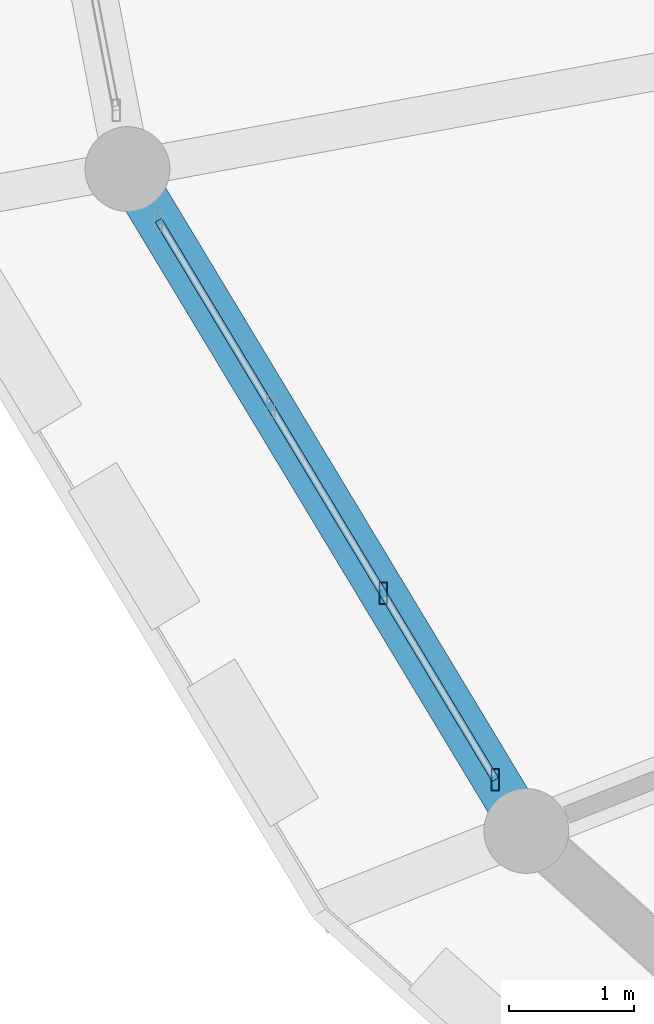
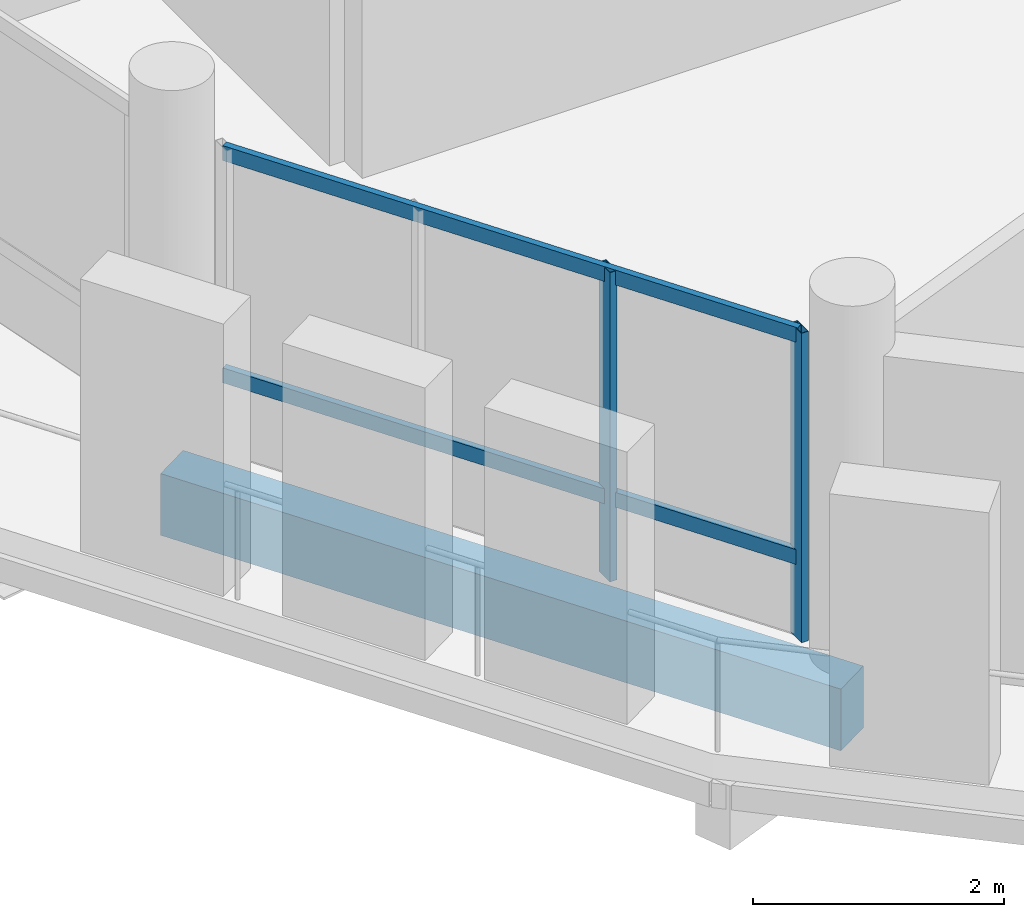
# One storey, part 45 of 128: 4 members, 1 beam, 1 element without a shape of its own.
"""IFC4 building model written with IfcOpenShell, lengths in metres."""

from ifc_helpers import new_model, si_unit, direction, frame, origin, origin_2d, place, context, subcontext, project, spatial, rectangle, hollow_rectangle, extrude, material, material_profile, profile_set, type_object, element, aggregate, save


model = new_model("IFC4")

# Units and contexts
model_context = context("Model", 3, precision=1e-05, world=origin(), true_north=direction((0.0, 1.0)))
body_context = subcontext(model_context, "Body", "Model", "MODEL_VIEW")
ifc_project = project(units=[si_unit("LENGTHUNIT", "METRE"), si_unit("AREAUNIT", "SQUARE_METRE"), si_unit("VOLUMEUNIT", "CUBIC_METRE"), si_unit("PLANEANGLEUNIT", "RADIAN"), si_unit("MASSUNIT", "GRAM", prefix="KILO")], contexts=[model_context])

# Site, building, storey
site_placement = place(None, origin())
site = spatial("IfcSite", under=ifc_project, at=site_placement, CompositionType="ELEMENT")
building_placement = place(site_placement, origin())
building = spatial("IfcBuilding", under=site, at=building_placement, Name="Zornivar Specialist Clinic", CompositionType="ELEMENT")
storey_placement = place(building_placement, frame((0.0, 0.0, 4.5)))
storey = spatial("IfcBuildingStorey", under=building, at=storey_placement, Name="L01", CompositionType="ELEMENT", Elevation=4.5)

# Beam
ifc_material_1 = material(Name="Concrete C30/37", Category="concrete")
ifc_material_profile_1 = material_profile(ifc_material_1, rectangle(XDim=0.3701171875, YDim=0.60009765625, at=origin_2d()), Name="RC 370x600")
ifc_profile_set_1 = profile_set([ifc_material_profile_1], Name="Concrete C30/37")
beam_type = type_object("IfcBeamType", Name="BM-RC-SPANDREL-370x600", PredefinedType="SPANDREL", material=ifc_profile_set_1)
beam_placement = place(storey_placement, frame((62.68994140625, 51.906005859375, -0.5400390625), z_axis=(0.516094506256, -0.856531646007, 0.0), x_axis=(0.856531646007, 0.516094506256, 0.0)))
element("IfcBeam", 1, at=beam_placement, inside=storey, type_object=beam_type, Name="bm:V1:L01:outring:13", PredefinedType="SPANDREL", context=body_context, shape_type="SweptSolid", body=[
    extrude(rectangle(XDim=0.3701171875, YDim=0.60009765625, at=origin_2d()), origin(), (0.0, 0.0, 1.0), 6.194580078125),
])

# Curtain wall, members
ifc_material_2 = material(Name="Aluminium and Low-E Glass Curtain Wall", Category="aluminium")
curtain_wall_type = type_object("IfcCurtainWallType", Name="CW-DRUM-FACET", PredefinedType="NOTDEFINED", material=ifc_material_2)
curtain_wall_placement = place(storey_placement, origin())
curtain_wall = element("IfcCurtainWall", 2, at=curtain_wall_placement, inside=storey, type_object=curtain_wall_type, Name="cw:V1:L01:c13", PredefinedType="NOTDEFINED")
ifc_material_3 = material(Name="Aluminium AW-6060", Category="aluminium")
ifc_material_profile_2 = material_profile(ifc_material_3, hollow_rectangle(XDim=0.06494140625, YDim=0.175048828125, WallThickness=0.00439453125, at=origin_2d()), Name="ALU 65x175x4.5")
ifc_profile_set_2 = profile_set([ifc_material_profile_2], Name="Aluminium AW-6060")
member_type_1 = type_object("IfcMemberType", Name="CWM-MUL-175", PredefinedType="MULLION", material=ifc_profile_set_2)
member_1_placement = place(storey_placement, frame((64.739013671875, 48.5048828125, 0.0), z_axis=(0.0, 0.0, 1.0), x_axis=(1.0, 0.0, 0.0)))
member_1 = element("IfcMember", 3, at=member_1_placement, type_object=member_type_1, Name="cw:V1:L01:c13:mul:2", PredefinedType="MULLION", context=body_context, shape_type="SweptSolid", body=[
    extrude(hollow_rectangle(XDim=0.06494140625, YDim=0.175048828125, WallThickness=0.00439453125, at=origin_2d()), origin(), (0.0, 0.0, 1.0), 3.010009765625),
])
member_2_placement = place(storey_placement, frame((65.638916015625, 47.010986328125, 0.0), z_axis=(0.0, 0.0, 1.0), x_axis=(1.0, 0.0, 0.0)))
member_2 = element("IfcMember", 4, at=member_2_placement, type_object=member_type_1, Name="cw:V1:L01:c13:mul:3", PredefinedType="MULLION", context=body_context, shape_type="SweptSolid", body=[
    extrude(hollow_rectangle(XDim=0.06494140625, YDim=0.175048828125, WallThickness=0.00439453125, at=origin_2d()), origin(), (0.0, 0.0, 1.0), 3.010009765625),
])
ifc_material_4 = material(Name="Aluminium AW-6060", Category="aluminium")
ifc_material_profile_3 = material_profile(ifc_material_4, hollow_rectangle(XDim=0.06005859375, YDim=0.14501953125, WallThickness=0.00390625, at=origin_2d()), Name="ALU 60x145x4")
ifc_profile_set_3 = profile_set([ifc_material_profile_3], Name="Aluminium AW-6060")
member_type_2 = type_object("IfcMemberType", Name="CWM-TRN-145", PredefinedType="USERDEFINED", material=ifc_profile_set_3)
member_3_placement = place(storey_placement, frame((62.93798828125, 51.4951171875, 0.782958984375), z_axis=(0.515962745671, -0.856611023207, 0.0), x_axis=(0.856611023207, 0.515962745671, 0.0)))
member_3 = element("IfcMember", 5, at=member_3_placement, type_object=member_type_2, Name="cw:V1:L01:c13:trn:0", ObjectType="TRANSOM", PredefinedType="USERDEFINED", context=body_context, shape_type="SweptSolid", body=[
    extrude(hollow_rectangle(XDim=0.06005859375, YDim=0.14501953125, WallThickness=0.00390625, at=origin_2d()), origin(), (0.0, 0.0, 1.0), 5.234619140625),
])
member_4_placement = place(storey_placement, frame((62.93798828125, 51.4951171875, 2.945068359375), z_axis=(0.515962745671, -0.856611023207, 0.0), x_axis=(0.856611023207, 0.515962745671, 0.0)))
member_4 = element("IfcMember", 6, at=member_4_placement, type_object=member_type_2, Name="cw:V1:L01:c13:trn:1", ObjectType="TRANSOM", PredefinedType="USERDEFINED", context=body_context, shape_type="SweptSolid", body=[
    extrude(hollow_rectangle(XDim=0.06005859375, YDim=0.14501953125, WallThickness=0.00390625, at=origin_2d()), origin(), (0.0, 0.0, 1.0), 5.234619140625),
])
aggregate(curtain_wall, [member_1, member_2, member_3, member_4])

save(model, "model.ifc")
